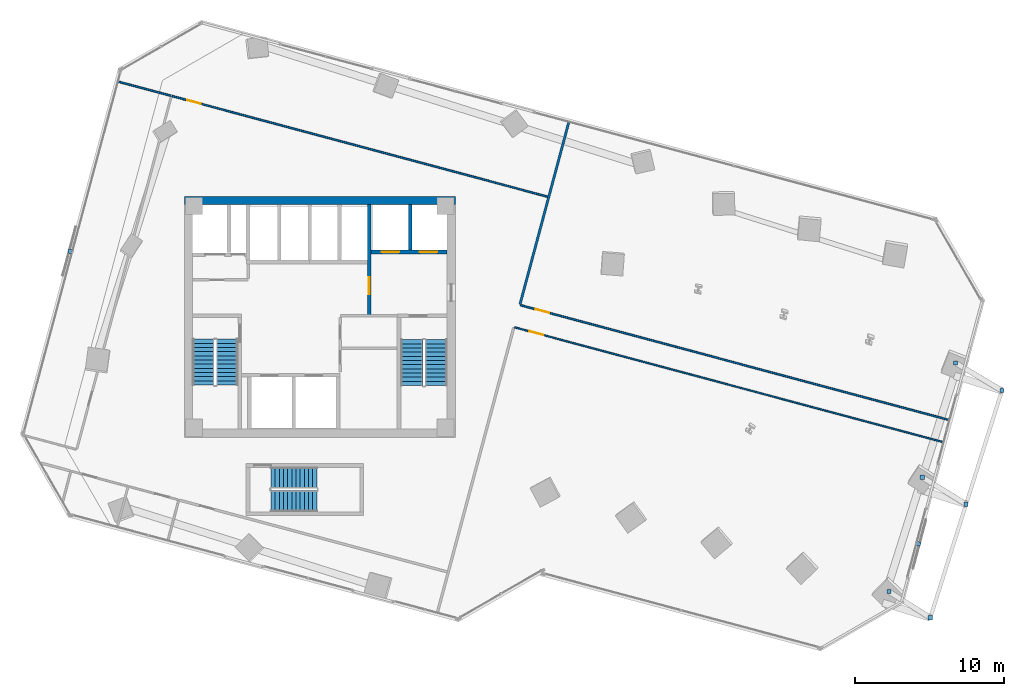
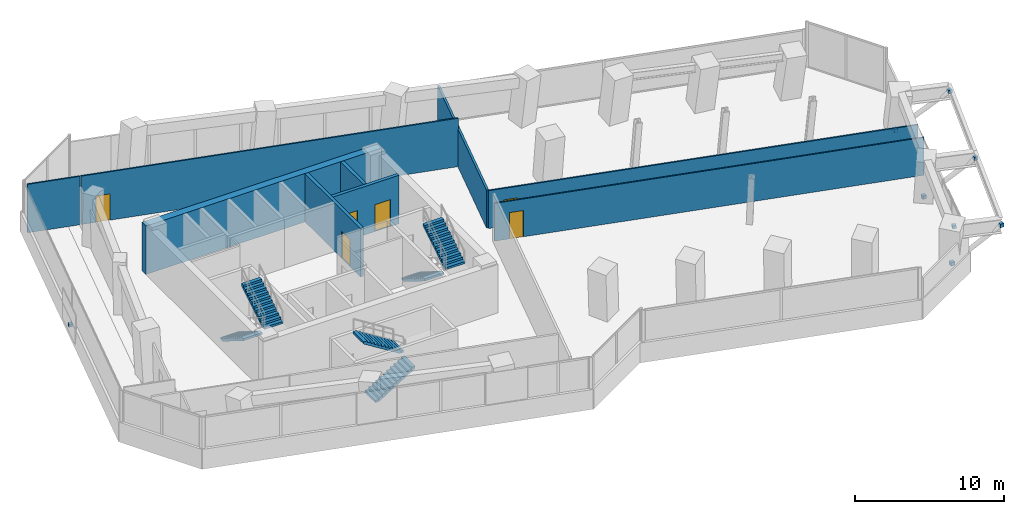
# One storey, part 22 of 27: 9 walls, 8 discrete accessories, 6 doors, 6 stair flights, 6 openings, 3 elements without a shape of their own.
"""IFC4 building model written with IfcOpenShell, lengths in metres."""

from ifc_helpers import new_model, si_unit, direction, frame, frame_2d, origin, origin_2d, place, context, subcontext, project, spatial, polyline, rectangle, outline, extrude, source, transform, mapped, material, layer, layer_set, type_object, element, fill, aggregate, save


model = new_model("IFC4")

# Units and contexts
model_context = context("Model", 3, precision=1e-05, world=origin(), true_north=direction((0.0, 1.0)))
body_context = subcontext(model_context, "Body", "Model", "MODEL_VIEW")
ifc_project = project(units=[si_unit("LENGTHUNIT", "METRE"), si_unit("AREAUNIT", "SQUARE_METRE"), si_unit("VOLUMEUNIT", "CUBIC_METRE"), si_unit("PLANEANGLEUNIT", "RADIAN"), si_unit("MASSUNIT", "GRAM", prefix="KILO")], contexts=[model_context])

# Site, building, storey
site_placement = place(None, origin())
site = spatial("IfcSite", under=ifc_project, at=site_placement, CompositionType="ELEMENT")
building_placement = place(site_placement, origin())
building = spatial("IfcBuilding", under=site, at=building_placement, Name="Torre Montelarca", CompositionType="ELEMENT")
storey_placement = place(building_placement, frame((0.0, 0.0, 108.39990234375)))
storey = spatial("IfcBuildingStorey", under=building, at=storey_placement, Name="L24", CompositionType="ELEMENT", Elevation=108.39990234375)

# Wall, opening, door
ifc_material_1 = material(Name="Concrete C40/50", Category="concrete")
ifc_layer_1 = layer(ifc_material_1, 0.25, Name="Concrete C40/50", Category="concrete")
ifc_layer_set_1 = layer_set([ifc_layer_1], Name="Concrete C40/50")
wall_type_1 = type_object("IfcWallType", Name="CW-SHAFT-250", PredefinedType="SHEAR", material=ifc_layer_set_1)
wall_1_placement = place(storey_placement, frame((21.320068359375, 32.1201171875, 0.0), z_axis=(0.0, 0.0, 1.0), x_axis=(0.0, 1.0, 0.0)))
wall_1 = element("IfcWall", 1, at=wall_1_placement, inside=storey, type_object=wall_type_1, Name="L24 Core Shear Wall SH-FFL-W", PredefinedType="SHEAR", context=body_context, shape_type="SweptSolid", body=[
    extrude(rectangle(XDim=7.419921875, YDim=0.25, at=frame_2d((3.7099609375, 0.0))), origin(), (0.0, 0.0, 1.0), 3.960205078125),
])
opening_1_placement = place(wall_1_placement, frame((1.39990234375, 0.0, 0.0)))
opening_1 = element("IfcOpeningElement", 2, at=opening_1_placement, cuts=wall_1, Name="Opening FD-LB1", PredefinedType="OPENING", context=body_context, shape_type="SweptSolid", body=[
    extrude(rectangle(XDim=1.14990234375, YDim=2.199951171875, at=frame_2d((0.574951171875, 1.10009765625))), frame((0.0, 0.135009765625, 0.0), z_axis=(0.0, -1.0, 0.0), x_axis=(1.0, 0.0, 0.0)), (0.0, 0.0, 1.0), 0.27001953125),
])
ifc_material_2 = material(Name="Acoustic timber-veneered fire door", Category="wood")
door_type_1 = type_object("IfcDoorType", Name="DR-LOBBY-115", OperationType="NOTDEFINED", PredefinedType="DOOR", material=ifc_material_2)
shared_shape_1 = source(origin(), body_context, "Body", "SweptSolid", [
    extrude(rectangle(XDim=1.14990234375, YDim=2.199951171875, at=frame_2d((0.574951171875, 1.10009765625))), frame((0.0, 0.02490234375, 0.0), z_axis=(0.0, -1.0, 0.0), x_axis=(1.0, 0.0, 0.0)), (0.0, 0.0, 1.0), 0.050048828125),
])
door_1_placement = place(opening_1_placement, origin())
door_1 = element("IfcDoor", 3, at=door_1_placement, inside=storey, type_object=door_type_1, Name="L24 Lift Lobby to Firefighting Lobby Smoke Door", OperationType="SINGLE_SWING_LEFT", OverallHeight=2.199951171875, OverallWidth=1.14990234375, PredefinedType="DOOR", context=body_context, shape_type="MappedRepresentation", body=[
    mapped(shared_shape_1, transform((0.0, 0.0, 0.0), scale=1.0)),
])
fill(opening_1, door_1)

# Wall, openings, doors
wall_2_placement = place(storey_placement, frame((21.449951171875, 36.35009765625, 0.0), z_axis=(0.0, 0.0, 1.0), x_axis=(1.0, 0.0, 0.0)))
wall_2 = element("IfcWall", 4, at=wall_2_placement, inside=storey, type_object=wall_type_1, Name="L24 Core Shear Wall SH-FF-S", PredefinedType="SHEAR", context=body_context, shape_type="SweptSolid", body=[
    extrude(rectangle(XDim=5.090087890625, YDim=0.25, at=frame_2d((2.544921875, 0.0))), origin(), (0.0, 0.0, 1.0), 3.960205078125),
])
opening_2_placement = place(wall_2_placement, frame((0.699951171875, 0.0, 0.0)))
opening_2 = element("IfcOpeningElement", 5, at=opening_2_placement, cuts=wall_2, Name="Opening LD-120", PredefinedType="OPENING", context=body_context, shape_type="SweptSolid", body=[
    extrude(rectangle(XDim=1.199951171875, YDim=2.199951171875, at=frame_2d((0.60009765625, 1.10009765625))), frame((0.0, 0.135009765625, 0.0), z_axis=(0.0, -1.0, 0.0), x_axis=(1.0, 0.0, 0.0)), (0.0, 0.0, 1.0), 0.27001953125),
])
opening_3_placement = place(wall_2_placement, frame((3.25, 0.0, 0.0)))
opening_3 = element("IfcOpeningElement", 6, at=opening_3_placement, cuts=wall_2, Name="Opening LD-120", PredefinedType="OPENING", context=body_context, shape_type="SweptSolid", body=[
    extrude(rectangle(XDim=1.199951171875, YDim=2.199951171875, at=frame_2d((0.60009765625, 1.10009765625))), frame((0.0, 0.135009765625, 0.0), z_axis=(0.0, -1.0, 0.0), x_axis=(1.0, 0.0, 0.0)), (0.0, 0.0, 1.0), 0.27001953125),
])
ifc_material_3 = material(Name="Brushed stainless steel AISI 316", Category="steel")
door_type_2 = type_object("IfcDoorType", Name="DR-LIFT-120", OperationType="SLIDING_TO_RIGHT", PredefinedType="DOOR", material=ifc_material_3)
shared_shape_2 = source(origin(), body_context, "Body", "SweptSolid", [
    extrude(rectangle(XDim=1.199951171875, YDim=2.199951171875, at=frame_2d((0.60009765625, 1.10009765625))), frame((0.0, 0.02490234375, 0.0), z_axis=(0.0, -1.0, 0.0), x_axis=(1.0, 0.0, 0.0)), (0.0, 0.0, 1.0), 0.050048828125),
])
door_2_placement = place(opening_2_placement, origin())
door_2 = element("IfcDoor", 7, at=door_2_placement, inside=storey, type_object=door_type_2, Name="L24 Lift Landing Sliding Door FF-1", OperationType="SLIDING_TO_LEFT", OverallHeight=2.199951171875, OverallWidth=1.199951171875, PredefinedType="DOOR", context=body_context, shape_type="MappedRepresentation", body=[
    mapped(shared_shape_2, transform((0.0, 0.0, 0.0), scale=1.0)),
])
fill(opening_2, door_2)
door_3_placement = place(opening_3_placement, origin())
door_3 = element("IfcDoor", 8, at=door_3_placement, inside=storey, type_object=door_type_2, Name="L24 Lift Landing Sliding Door FF-2", OperationType="SLIDING_TO_RIGHT", OverallHeight=2.199951171875, OverallWidth=1.199951171875, PredefinedType="DOOR", context=body_context, shape_type="MappedRepresentation", body=[
    mapped(shared_shape_2, transform((0.0, 0.0, 0.0), scale=1.0)),
])
fill(opening_3, door_3)

# Walls
wall_3_placement = place(storey_placement, frame((24.080078125, 36.47998046875, 0.0), z_axis=(0.0, 0.0, 1.0), x_axis=(0.0, 1.0, 0.0)))
element("IfcWall", 9, at=wall_3_placement, inside=storey, type_object=wall_type_1, Name="L24 Core Shear Wall SH-FF-M", PredefinedType="SHEAR", context=body_context, shape_type="SweptSolid", body=[
    extrude(rectangle(XDim=3.06005859375, YDim=0.25, at=frame_2d((1.530029296875, 0.0))), origin(), (0.0, 0.0, 1.0), 3.960205078125),
])
ifc_material_4 = material(Name="Concrete C70/85", Category="concrete")
ifc_layer_2 = layer(ifc_material_4, 0.550048828125, Name="Concrete C70/85", Category="concrete")
ifc_layer_set_2 = layer_set([ifc_layer_2], Name="Concrete C70/85")
wall_type_2 = type_object("IfcWallType", Name="CW-SHEAR-550", PredefinedType="SHEAR", material=ifc_layer_set_2)
wall_4_placement = place(storey_placement, frame((8.89990234375, 39.824951171875, 0.0), z_axis=(0.0, 0.0, 1.0), x_axis=(1.0, 0.0, 0.0)))
element("IfcWall", 10, at=wall_4_placement, inside=storey, type_object=wall_type_2, Name="L24 Core Shear Wall CW-N1", PredefinedType="SHEAR", context=body_context, shape_type="SweptSolid", body=[
    extrude(rectangle(XDim=18.2001953125, YDim=0.550048828125, at=frame_2d((9.10009765625, 0.0))), origin(), (0.0, 0.0, 1.0), 3.960205078125),
])
ifc_material_5 = material(Name="Gypsum plasterboard on steel stud", Category="steel")
ifc_layer_3 = layer(ifc_material_5, 0.159912109375, Name="Gypsum plasterboard on steel stud", Category="steel")
ifc_layer_set_3 = layer_set([ifc_layer_3], Name="Gypsum plasterboard on steel stud")
wall_type_3 = type_object("IfcWallType", Name="PW-FIRE-160", PredefinedType="PARTITIONING", material=ifc_layer_set_3)
wall_5_placement = place(storey_placement, frame((31.44482421875, 32.83447265625, 0.0), z_axis=(0.0, 0.0, 1.0), x_axis=(0.258816538161, 0.965926498018, 0.0)))
element("IfcWall", 11, at=wall_5_placement, inside=storey, type_object=wall_type_3, Name="L24 Interior Partition W-L24-ECN", PredefinedType="PARTITIONING", context=body_context, shape_type="SweptSolid", body=[
    extrude(rectangle(XDim=12.64013671875, YDim=0.159912109375, at=frame_2d((6.320068359375, 0.0))), origin(), (0.0, 0.0, 1.0), 3.09521484375),
])

# Wall, opening, door
ifc_material_6 = material(Name="Acoustic laminated glass partition", Category="glass")
ifc_layer_4 = layer(ifc_material_6, 0.10009765625, Name="Acoustic laminated glass partition", Category="glass")
ifc_layer_set_4 = layer_set([ifc_layer_4], Name="Acoustic laminated glass partition")
wall_type_4 = type_object("IfcWallType", Name="PW-GLAZ-100", PredefinedType="PARTITIONING", material=ifc_layer_set_4)
wall_6_placement = place(storey_placement, frame((31.074462890625, 31.298095703125, 0.0), z_axis=(0.0, 0.0, 1.0), x_axis=(0.96592643206, -0.258816784325, 0.0)))
wall_6 = element("IfcWall", 12, at=wall_6_placement, inside=storey, type_object=wall_type_4, Name="L24 Interior Partition W-L24-SE-N", PredefinedType="PARTITIONING", context=body_context, shape_type="SweptSolid", body=[
    extrude(rectangle(XDim=29.790283203125, YDim=0.10009765625, at=frame_2d((14.89501953125, 0.0))), origin(), (0.0, 0.0, 1.0), 3.09521484375),
])
opening_4_placement = place(wall_6_placement, frame((1.050048828125, 0.0, 0.0)))
opening_4 = element("IfcOpeningElement", 13, at=opening_4_placement, cuts=wall_6, Name="Opening ID-095", PredefinedType="OPENING", context=body_context, shape_type="SweptSolid", body=[
    extrude(rectangle(XDim=0.949951171875, YDim=2.14990234375, at=frame_2d((0.47509765625, 1.074951171875))), frame((0.0, 0.06005859375, 0.0), z_axis=(0.0, -1.0, 0.0), x_axis=(1.0, 0.0, 0.0)), (0.0, 0.0, 1.0), 0.1201171875),
])
ifc_material_7 = material(Name="Hardwood acoustic timber veneer", Category="wood")
door_type_3 = type_object("IfcDoorType", Name="DR-INT-095", OperationType="NOTDEFINED", PredefinedType="DOOR", material=ifc_material_7)
shared_shape_3 = source(origin(), body_context, "Body", "SweptSolid", [
    extrude(rectangle(XDim=0.949951171875, YDim=2.14990234375, at=frame_2d((0.47509765625, 1.074951171875))), frame((0.0, 0.02490234375, 0.0), z_axis=(0.0, -1.0, 0.0), x_axis=(1.0, 0.0, 0.0)), (0.0, 0.0, 1.0), 0.050048828125),
])
door_4_placement = place(opening_4_placement, origin())
door_4 = element("IfcDoor", 14, at=door_4_placement, inside=storey, type_object=door_type_3, Name="L24 Interior Door 10", OperationType="SINGLE_SWING_LEFT", OverallHeight=2.14990234375, OverallWidth=0.949951171875, PredefinedType="DOOR", context=body_context, shape_type="MappedRepresentation", body=[
    mapped(shared_shape_3, transform((0.0, 0.0, 0.0), scale=1.0)),
])
fill(opening_4, door_4)

ifc_layer_5 = layer(ifc_material_5, 0.114990234375, Name="Gypsum plasterboard on steel stud", Category="steel")
ifc_layer_set_5 = layer_set([ifc_layer_5], Name="Gypsum plasterboard on steel stud")
wall_type_5 = type_object("IfcWallType", Name="PW-PART-115", PredefinedType="PARTITIONING", material=ifc_layer_set_5)
wall_7_placement = place(storey_placement, frame((8.07080078125, 46.8310546875, 0.0), z_axis=(0.0, 0.0, 1.0), x_axis=(0.965925848141, -0.258818963551, 0.0)))
wall_7 = element("IfcWall", 15, at=wall_7_placement, inside=storey, type_object=wall_type_5, Name="L24 Interior Partition W-L24-NBOT", PredefinedType="PARTITIONING", context=body_context, shape_type="SweptSolid", body=[
    extrude(rectangle(XDim=26.16015625, YDim=0.114990234375, at=frame_2d((13.080078125, 0.0))), origin(), (0.0, 0.0, 1.0), 3.960205078125),
])
opening_5_placement = place(wall_7_placement, frame((1.050048828125, 0.0, 0.0)))
opening_5 = element("IfcOpeningElement", 16, at=opening_5_placement, cuts=wall_7, Name="Opening ID-095", PredefinedType="OPENING", context=body_context, shape_type="SweptSolid", body=[
    extrude(rectangle(XDim=0.949951171875, YDim=2.14990234375, at=frame_2d((0.47509765625, 1.074951171875))), frame((0.0, 0.0673828125, 0.0), z_axis=(0.0, -1.0, 0.0), x_axis=(1.0, 0.0, 0.0)), (0.0, 0.0, 1.0), 0.135009765625),
])
door_5_placement = place(opening_5_placement, origin())
door_5 = element("IfcDoor", 17, at=door_5_placement, inside=storey, type_object=door_type_3, Name="L24 Interior Door 07", OperationType="SINGLE_SWING_LEFT", OverallHeight=2.14990234375, OverallWidth=0.949951171875, PredefinedType="DOOR", context=body_context, shape_type="MappedRepresentation", body=[
    mapped(shared_shape_3, transform((0.0, 0.0, 0.0), scale=1.0)),
])
fill(opening_5, door_5)

# Wall
wall_8_placement = place(storey_placement, frame((4.4873046875, 47.791259765625, 0.0), z_axis=(0.0, 0.0, 1.0), x_axis=(0.965930639999, -0.258801079426, 0.0)))
element("IfcWall", 18, at=wall_8_placement, inside=storey, type_object=wall_type_5, Name="L24 Interior Partition W-L24-WWGN", PredefinedType="PARTITIONING", context=body_context, shape_type="SweptSolid", body=[
    extrude(rectangle(XDim=3.630126953125, YDim=0.114990234375, at=frame_2d((1.81494140625, 0.0))), origin(), (0.0, 0.0, 1.0), 3.960205078125),
])

# Wall, opening, door
wall_9_placement = place(storey_placement, frame((31.47314453125, 32.785400390625, 0.0), z_axis=(0.0, 0.0, 1.0), x_axis=(0.965927931901, -0.258811186722, 0.0)))
wall_9 = element("IfcWall", 19, at=wall_9_placement, inside=storey, type_object=wall_type_5, Name="L24 Interior Partition W-L24-NE-S", PredefinedType="PARTITIONING", context=body_context, shape_type="SweptSolid", body=[
    extrude(rectangle(XDim=29.789794921875, YDim=0.114990234375, at=frame_2d((14.89501953125, 0.0))), origin(), (0.0, 0.0, 1.0), 3.09521484375),
])
opening_6_placement = place(wall_9_placement, frame((1.050048828125, 0.0, 0.0)))
opening_6 = element("IfcOpeningElement", 20, at=opening_6_placement, cuts=wall_9, Name="Opening ID-095", PredefinedType="OPENING", context=body_context, shape_type="SweptSolid", body=[
    extrude(rectangle(XDim=0.949951171875, YDim=2.14990234375, at=frame_2d((0.47509765625, 1.074951171875))), frame((0.0, 0.0673828125, 0.0), z_axis=(0.0, -1.0, 0.0), x_axis=(1.0, 0.0, 0.0)), (0.0, 0.0, 1.0), 0.135009765625),
])
door_6_placement = place(opening_6_placement, origin())
door_6 = element("IfcDoor", 21, at=door_6_placement, inside=storey, type_object=door_type_3, Name="L24 Interior Door 09", OperationType="SINGLE_SWING_LEFT", OverallHeight=2.14990234375, OverallWidth=0.949951171875, PredefinedType="DOOR", context=body_context, shape_type="MappedRepresentation", body=[
    mapped(shared_shape_3, transform((0.0, 0.0, 0.0), scale=1.0)),
])
fill(opening_6, door_6)

# Stair, stair flights
stair_type_1 = type_object("IfcStairType", Name="ST-CORE-ST1", PredefinedType="HALF_TURN_STAIR", material=ifc_material_1)
stair_1_placement = place(storey_placement, origin())
stair_1 = element("IfcStair", 22, at=stair_1_placement, inside=storey, type_object=stair_type_1, Name="L24 Protected Exit Stair ST1", PredefinedType="HALF_TURN_STAIR")
stair_flight_type_1 = type_object("IfcStairFlightType", Name="SFL-CORE-ST1", PredefinedType="STRAIGHT", material=ifc_material_1)
stair_flight_1_placement = place(storey_placement, frame((10.175048828125, 30.5, 0.0), z_axis=(0.0, 0.0, 1.0), x_axis=(0.0, -1.0, 0.0)))
stair_flight_1 = element("IfcStairFlight", 23, at=stair_flight_1_placement, type_object=stair_flight_type_1, Name="ST1 flight 1", NumberOfRisers=12, NumberOfTreads=11, PredefinedType="STRAIGHT", RiserHeight=0.175, TreadLength=0.28, context=body_context, shape_type="SweptSolid", body=[
    extrude(outline(polyline([(0.0, 0.0), (0.0, 0.175048828125), (0.280029296875, 0.175048828125), (0.280029296875, 0.35009765625), (0.56005859375, 0.35009765625), (0.56005859375, 0.52490234375), (0.840087890625, 0.52490234375), (0.840087890625, 0.699951171875), (1.1201171875, 0.699951171875), (1.1201171875, 0.875), (1.39990234375, 0.875), (1.39990234375, 1.050048828125), (1.679931640625, 1.050048828125), (1.679931640625, 1.22509765625), (1.9599609375, 1.22509765625), (1.9599609375, 1.39990234375), (2.239990234375, 1.39990234375), (2.239990234375, 1.574951171875), (2.52001953125, 1.574951171875), (2.52001953125, 1.75), (2.800048828125, 1.75), (2.800048828125, 1.925048828125), (3.080078125, 1.925048828125), (3.080078125, 2.10009765625), (3.080078125, 1.748291015625), (0.28271484375, 0.0), (0.0, 0.0)])), frame((0.0, 0.72509765625, 0.0), z_axis=(0.0, -1.0, 0.0), x_axis=(1.0, 0.0, 0.0)), (0.0, 0.0, 1.0), 1.449951171875),
])
stair_flight_2_placement = place(storey_placement, frame((11.77490234375, 27.419921875, 2.10009765625), z_axis=(0.0, 0.0, 1.0), x_axis=(0.0, 1.0, 0.0)))
stair_flight_2 = element("IfcStairFlight", 24, at=stair_flight_2_placement, type_object=stair_flight_type_1, Name="ST1 flight 2", NumberOfRisers=12, NumberOfTreads=11, PredefinedType="STRAIGHT", RiserHeight=0.175, TreadLength=0.28, context=body_context, shape_type="SweptSolid", body=[
    extrude(outline(polyline([(0.0, 0.0), (0.0, 0.175048828125), (0.280029296875, 0.175048828125), (0.280029296875, 0.35009765625), (0.56005859375, 0.35009765625), (0.56005859375, 0.52490234375), (0.840087890625, 0.52490234375), (0.840087890625, 0.699951171875), (1.1201171875, 0.699951171875), (1.1201171875, 0.875), (1.39990234375, 0.875), (1.39990234375, 1.050048828125), (1.679931640625, 1.050048828125), (1.679931640625, 1.22509765625), (1.9599609375, 1.22509765625), (1.9599609375, 1.39990234375), (2.239990234375, 1.39990234375), (2.239990234375, 1.574951171875), (2.52001953125, 1.574951171875), (2.52001953125, 1.75), (2.800048828125, 1.75), (2.800048828125, 1.925048828125), (3.080078125, 1.925048828125), (3.080078125, 2.10009765625), (3.080078125, 1.748291015625), (0.28271484375, 0.0), (0.0, 0.0)])), frame((0.0, 0.72509765625, 0.0), z_axis=(0.0, -1.0, 0.0), x_axis=(1.0, 0.0, 0.0)), (0.0, 0.0, 1.0), 1.449951171875),
])
aggregate(stair_1, [stair_flight_1, stair_flight_2])

stair_type_2 = type_object("IfcStairType", Name="ST-CORE-ST2", PredefinedType="HALF_TURN_STAIR", material=ifc_material_1)
stair_2_placement = place(storey_placement, origin())
stair_2 = element("IfcStair", 25, at=stair_2_placement, inside=storey, type_object=stair_type_2, Name="L24 Protected Exit Stair ST2", PredefinedType="HALF_TURN_STAIR")
stair_flight_type_2 = type_object("IfcStairFlightType", Name="SFL-CORE-ST2", PredefinedType="STRAIGHT", material=ifc_material_1)
stair_flight_3_placement = place(storey_placement, frame((24.179931640625, 30.469970703125, 0.0), z_axis=(0.0, 0.0, 1.0), x_axis=(0.0, -1.0, 0.0)))
stair_flight_3 = element("IfcStairFlight", 26, at=stair_flight_3_placement, type_object=stair_flight_type_2, Name="ST2 flight 1", NumberOfRisers=12, NumberOfTreads=11, PredefinedType="STRAIGHT", RiserHeight=0.175, TreadLength=0.28, context=body_context, shape_type="SweptSolid", body=[
    extrude(outline(polyline([(0.0, 0.0), (0.0, 0.175048828125), (0.280029296875, 0.175048828125), (0.280029296875, 0.35009765625), (0.56005859375, 0.35009765625), (0.56005859375, 0.52490234375), (0.840087890625, 0.52490234375), (0.840087890625, 0.699951171875), (1.1201171875, 0.699951171875), (1.1201171875, 0.875), (1.39990234375, 0.875), (1.39990234375, 1.050048828125), (1.679931640625, 1.050048828125), (1.679931640625, 1.22509765625), (1.9599609375, 1.22509765625), (1.9599609375, 1.39990234375), (2.239990234375, 1.39990234375), (2.239990234375, 1.574951171875), (2.52001953125, 1.574951171875), (2.52001953125, 1.75), (2.800048828125, 1.75), (2.800048828125, 1.925048828125), (3.080078125, 1.925048828125), (3.080078125, 2.10009765625), (3.080078125, 1.748291015625), (0.28271484375, 0.0), (0.0, 0.0)])), frame((0.0, 0.739990234375, 0.0), z_axis=(0.0, -1.0, 0.0), x_axis=(1.0, 0.0, 0.0)), (0.0, 0.0, 1.0), 1.47998046875),
])
stair_flight_4_placement = place(storey_placement, frame((25.81005859375, 27.389892578125, 2.10009765625), z_axis=(0.0, 0.0, 1.0), x_axis=(0.0, 1.0, 0.0)))
stair_flight_4 = element("IfcStairFlight", 27, at=stair_flight_4_placement, type_object=stair_flight_type_2, Name="ST2 flight 2", NumberOfRisers=12, NumberOfTreads=11, PredefinedType="STRAIGHT", RiserHeight=0.175, TreadLength=0.28, context=body_context, shape_type="SweptSolid", body=[
    extrude(outline(polyline([(0.0, 0.0), (0.0, 0.175048828125), (0.280029296875, 0.175048828125), (0.280029296875, 0.35009765625), (0.56005859375, 0.35009765625), (0.56005859375, 0.52490234375), (0.840087890625, 0.52490234375), (0.840087890625, 0.699951171875), (1.1201171875, 0.699951171875), (1.1201171875, 0.875), (1.39990234375, 0.875), (1.39990234375, 1.050048828125), (1.679931640625, 1.050048828125), (1.679931640625, 1.22509765625), (1.9599609375, 1.22509765625), (1.9599609375, 1.39990234375), (2.239990234375, 1.39990234375), (2.239990234375, 1.574951171875), (2.52001953125, 1.574951171875), (2.52001953125, 1.75), (2.800048828125, 1.75), (2.800048828125, 1.925048828125), (3.080078125, 1.925048828125), (3.080078125, 2.10009765625), (3.080078125, 1.748291015625), (0.28271484375, 0.0), (0.0, 0.0)])), frame((0.0, 0.739990234375, 0.0), z_axis=(0.0, -1.0, 0.0), x_axis=(1.0, 0.0, 0.0)), (0.0, 0.0, 1.0), 1.47998046875),
])
aggregate(stair_2, [stair_flight_3, stair_flight_4])

stair_type_3 = type_object("IfcStairType", Name="ST-CORE-ST3", PredefinedType="HALF_TURN_STAIR", material=ifc_material_1)
stair_3_placement = place(storey_placement, origin())
stair_3 = element("IfcStair", 28, at=stair_3_placement, inside=storey, type_object=stair_type_3, Name="L24 Low-Rise Exit Stair ST3", PredefinedType="HALF_TURN_STAIR")
stair_flight_type_3 = type_object("IfcStairFlightType", Name="SFL-CORE-ST3", PredefinedType="STRAIGHT", material=ifc_material_1)
stair_flight_5_placement = place(storey_placement, frame((14.719970703125, 19.610107421875, 0.0), z_axis=(0.0, 0.0, 1.0), x_axis=(1.0, 0.0, 0.0)))
stair_flight_5 = element("IfcStairFlight", 29, at=stair_flight_5_placement, type_object=stair_flight_type_3, Name="ST3 flight 1", NumberOfRisers=12, NumberOfTreads=11, PredefinedType="STRAIGHT", RiserHeight=0.175, TreadLength=0.28, context=body_context, shape_type="SweptSolid", body=[
    extrude(outline(polyline([(0.0, 0.0), (0.0, 0.175048828125), (0.280029296875, 0.175048828125), (0.280029296875, 0.35009765625), (0.56005859375, 0.35009765625), (0.56005859375, 0.52490234375), (0.840087890625, 0.52490234375), (0.840087890625, 0.699951171875), (1.1201171875, 0.699951171875), (1.1201171875, 0.875), (1.39990234375, 0.875), (1.39990234375, 1.050048828125), (1.679931640625, 1.050048828125), (1.679931640625, 1.22509765625), (1.9599609375, 1.22509765625), (1.9599609375, 1.39990234375), (2.239990234375, 1.39990234375), (2.239990234375, 1.574951171875), (2.52001953125, 1.574951171875), (2.52001953125, 1.75), (2.800048828125, 1.75), (2.800048828125, 1.925048828125), (3.080078125, 1.925048828125), (3.080078125, 2.10009765625), (3.080078125, 1.748291015625), (0.28271484375, 0.0), (0.0, 0.0)])), frame((0.0, 0.7099609375, 0.0), z_axis=(0.0, -1.0, 0.0), x_axis=(1.0, 0.0, 0.0)), (0.0, 0.0, 1.0), 1.419921875),
])
stair_flight_6_placement = place(storey_placement, frame((17.800048828125, 21.179931640625, 2.10009765625), z_axis=(0.0, 0.0, 1.0), x_axis=(-1.0, 0.0, 0.0)))
stair_flight_6 = element("IfcStairFlight", 30, at=stair_flight_6_placement, type_object=stair_flight_type_3, Name="ST3 flight 2", NumberOfRisers=12, NumberOfTreads=11, PredefinedType="STRAIGHT", RiserHeight=0.175, TreadLength=0.28, context=body_context, shape_type="SweptSolid", body=[
    extrude(outline(polyline([(0.0, 0.0), (0.0, 0.175048828125), (0.280029296875, 0.175048828125), (0.280029296875, 0.35009765625), (0.56005859375, 0.35009765625), (0.56005859375, 0.52490234375), (0.840087890625, 0.52490234375), (0.840087890625, 0.699951171875), (1.1201171875, 0.699951171875), (1.1201171875, 0.875), (1.39990234375, 0.875), (1.39990234375, 1.050048828125), (1.679931640625, 1.050048828125), (1.679931640625, 1.22509765625), (1.9599609375, 1.22509765625), (1.9599609375, 1.39990234375), (2.239990234375, 1.39990234375), (2.239990234375, 1.574951171875), (2.52001953125, 1.574951171875), (2.52001953125, 1.75), (2.800048828125, 1.75), (2.800048828125, 1.925048828125), (3.080078125, 1.925048828125), (3.080078125, 2.10009765625), (3.080078125, 1.748291015625), (0.28271484375, 0.0), (0.0, 0.0)])), frame((0.0, 0.7099609375, 0.0), z_axis=(0.0, -1.0, 0.0), x_axis=(1.0, 0.0, 0.0)), (0.0, 0.0, 1.0), 1.419921875),
])
aggregate(stair_3, [stair_flight_5, stair_flight_6])

# Discrete accessories
ifc_material_8 = material(Name="Stainless steel AISI 316", Category="steel")
discrete_accessory_type = type_object("IfcDiscreteAccessoryType", Name="ACC-BRACKET-SS", PredefinedType="BRACKET", material=ifc_material_8)
shared_shape_4 = source(origin(), body_context, "Body", "SweptSolid", [
    extrude(rectangle(XDim=0.280029296875, YDim=0.280029296875, at=origin_2d()), origin(), (0.0, 0.0, 1.0), 0.280029296875),
])
for number, where, z_axis, x_axis, name in (
    (31, (56.223388671875, 13.546142578125, 0.01025390625), (0.0, 0.0, 1.0), (1.0, 0.0, 0.0), "L25 Raker End Connection Bracket E1-FT"),
    (32, (59.00732421875, 11.78564453125, 3.2451171875), (0.0, 0.0, 1.0), (1.0, 0.0, 0.0), "L25 Raker End Connection Bracket E1-HD"),
    (33, (58.4619140625, 21.2265625, 0.01025390625), (0.0, 0.0, 1.0), (1.0, 0.0, 0.0), "L25 Raker End Connection Bracket E2-FT"),
    (34, (61.4130859375, 19.41552734375, 3.2451171875), (0.0, 0.0, 1.0), (1.0, 0.0, 0.0), "L25 Raker End Connection Bracket E2-HD"),
    (35, (60.70068359375, 28.906982421875, 0.01025390625), (0.0, 0.0, 1.0), (1.0, 0.0, 0.0), "L25 Raker End Connection Bracket E3-FT"),
    (36, (63.818603515625, 27.045166015625, 3.2451171875), (0.0, 0.0, 1.0), (1.0, 0.0, 0.0), "L25 Raker End Connection Bracket E3-HD"),
):
    element("IfcDiscreteAccessory", number, at=place(storey_placement, frame(where, z_axis=z_axis, x_axis=x_axis)), inside=storey, type_object=discrete_accessory_type, Name=name, PredefinedType="BRACKET", context=body_context, shape_type="MappedRepresentation", body=[
        mapped(shared_shape_4, transform((0.0, 0.0, 0.0), scale=1.0)),
    ])
shared_shape_5 = source(origin(), body_context, "Body", "SweptSolid", [
    extrude(rectangle(XDim=0.280029296875, YDim=0.260009765625, at=origin_2d()), origin(), (0.0, 0.0, 1.0), 0.239990234375),
])
for number, where, z_axis, x_axis, name in (
    (37, (58.2255859375, 16.754150390625, 0.39990234375), (0.0, 0.0, 1.0), (0.258819045103, 0.965925826289, 0.0), "L24 Solar Screen Support Bracket E6-1"),
    (38, (1.227294921875, 36.39697265625, 0.39990234375), (0.0, 0.0, 1.0), (-0.258819045103, -0.965925826289, 0.0), "L24 Solar Screen Support Bracket E10-1"),
):
    element("IfcDiscreteAccessory", number, at=place(storey_placement, frame(where, z_axis=z_axis, x_axis=x_axis)), inside=storey, type_object=discrete_accessory_type, Name=name, PredefinedType="BRACKET", context=body_context, shape_type="MappedRepresentation", body=[
        mapped(shared_shape_5, transform((0.0, 0.0, 0.0), scale=1.0)),
    ])

save(model, "model.ifc")
